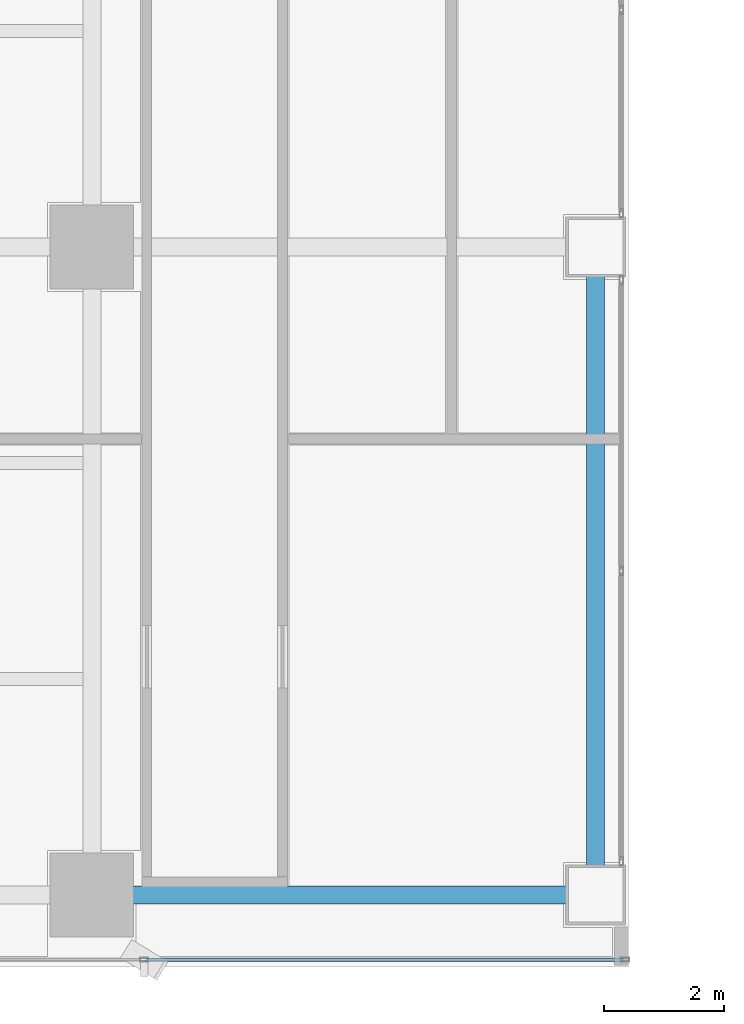
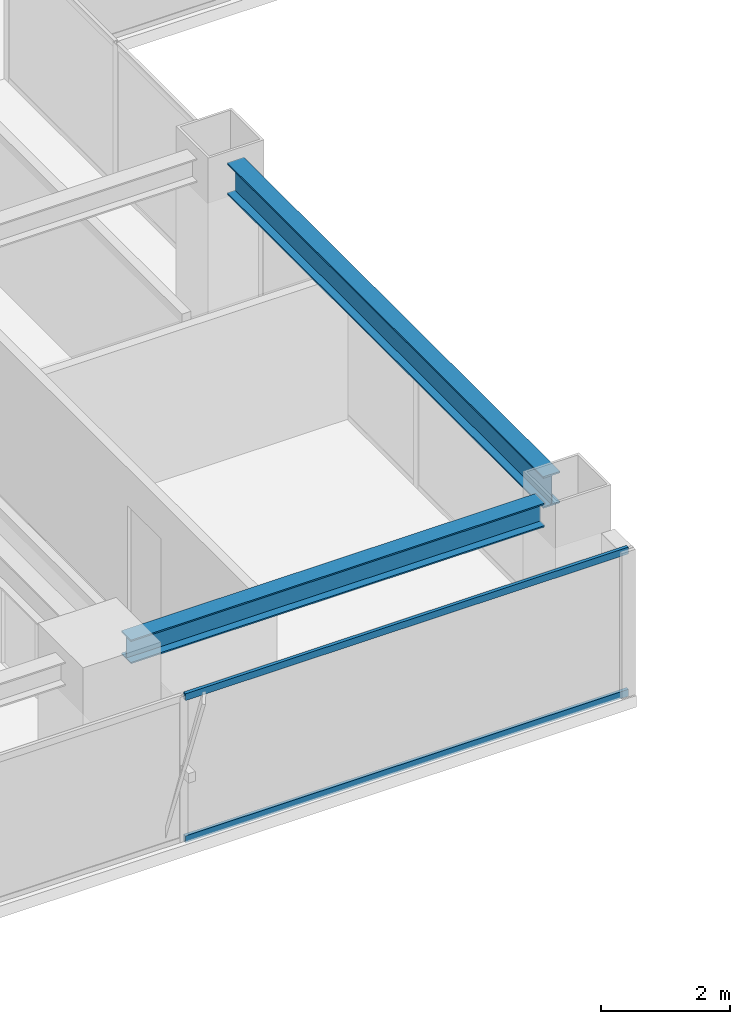
# One storey, part 3 of 31: 2 beams, 2 members, 1 element without a shape of its own.
"""IFC4 building model written with IfcOpenShell, lengths in metres."""

from ifc_helpers import new_model, si_unit, direction, frame, origin, origin_2d, place, context, subcontext, project, spatial, hollow_rectangle, i_section, extrude, source, transform, mapped, material, layer, layer_set, material_profile, profile_set, type_object, element, aggregate, save


model = new_model("IFC4")

# Units and contexts
model_context = context("Model", 3, precision=1e-05, world=origin(), true_north=direction((0.0, 1.0)))
body_context = subcontext(model_context, "Body", "Model", "MODEL_VIEW")
ifc_project = project(units=[si_unit("LENGTHUNIT", "METRE"), si_unit("AREAUNIT", "SQUARE_METRE"), si_unit("VOLUMEUNIT", "CUBIC_METRE"), si_unit("PLANEANGLEUNIT", "RADIAN"), si_unit("MASSUNIT", "GRAM", prefix="KILO")], contexts=[model_context])

# Site, building, storey
site_placement = place(None, origin())
site = spatial("IfcSite", under=ifc_project, at=site_placement, CompositionType="ELEMENT")
building_placement = place(site_placement, origin())
building = spatial("IfcBuilding", under=site, at=building_placement, Name="Sumidabori Civic Tower", CompositionType="ELEMENT")
storey_placement = place(building_placement, frame((0.0, 0.0, 221.60009765625)))
storey = spatial("IfcBuildingStorey", under=building, at=storey_placement, Name="L57", CompositionType="ELEMENT", Elevation=221.60009765625)

# Beams
ifc_material_1 = material(Name="Steel SN490", Category="steel")
ifc_material_profile_1 = material_profile(ifc_material_1, i_section(OverallWidth=0.300048828125, OverallDepth=0.60009765625, WebThickness=0.015380859375, FlangeThickness=0.030029296875, at=origin_2d()), Name="HE 600 B")
ifc_profile_set_1 = profile_set([ifc_material_profile_1], Name="Steel SN490")
beam_type_1 = type_object("IfcBeamType", Name="BM-GIRD-600", PredefinedType="BEAM", material=ifc_profile_set_1)
shared_shape_1 = source(origin(), body_context, "Body", "SweptSolid", [
    extrude(i_section(OverallWidth=0.300048828125, OverallDepth=0.60009765625, WebThickness=0.015380859375, FlangeThickness=0.030029296875, at=origin_2d()), origin(), (0.0, 0.0, 1.0), 9.840087890625),
])
beam_1_placement = place(storey_placement, frame((-8.39990234375, -10.320068359375, 3.079833984375), z_axis=(0.0, 1.0, 0.0), x_axis=(-1.0, 0.0, 0.0)))
element("IfcBeam", 1, at=beam_1_placement, inside=storey, type_object=beam_type_1, Name="Primary Girder L57 GY-17", PredefinedType="BEAM", context=body_context, shape_type="MappedRepresentation", body=[
    mapped(shared_shape_1, transform((0.0, 0.0, 0.0), x_axis=(1.0, 0.0, 0.0), y_axis=(0.0, 1.0, 0.0), z_axis=(0.0, 0.0, 1.0), scale=1.0)),
])
ifc_material_profile_2 = material_profile(ifc_material_1, i_section(OverallWidth=0.300048828125, OverallDepth=0.449951171875, WebThickness=0.013916015625, FlangeThickness=0.02587890625, at=origin_2d()), Name="HE 450 B")
ifc_profile_set_2 = profile_set([ifc_material_profile_2], Name="Steel SN490")
beam_type_2 = type_object("IfcBeamType", Name="BM-GIRD-450", PredefinedType="BEAM", material=ifc_profile_set_2)
shared_shape_2 = source(origin(), body_context, "Body", "SweptSolid", [
    extrude(i_section(OverallWidth=0.300048828125, OverallDepth=0.449951171875, WebThickness=0.013916015625, FlangeThickness=0.02587890625, at=origin_2d()), origin(), (0.0, 0.0, 1.0), 7.440185546875),
])
beam_2_placement = place(storey_placement, frame((-16.320068359375, -10.800048828125, 3.15478515625), z_axis=(1.0, 0.0, 0.0), x_axis=(0.0, 1.0, 0.0)))
element("IfcBeam", 2, at=beam_2_placement, inside=storey, type_object=beam_type_2, Name="Primary Girder L57 GX-02", PredefinedType="BEAM", context=body_context, shape_type="MappedRepresentation", body=[
    mapped(shared_shape_2, transform((0.0, 0.0, 0.0), x_axis=(1.0, 0.0, 0.0), y_axis=(0.0, 1.0, 0.0), z_axis=(0.0, 0.0, 1.0), scale=1.0)),
])

# Curtain wall, members
ifc_material_2 = material(Name="Anodised Bronze Aluminium AW-6063-T6", Category="aluminium")
ifc_layer = layer(ifc_material_2, 0.179931640625, Name="Anodised Bronze Aluminium AW-6063-T6")
ifc_layer_set = layer_set([ifc_layer], Name="Anodised Bronze Aluminium AW-6063-T6")
curtain_wall_type = type_object("IfcCurtainWallType", Name="CW-SYS-5", PredefinedType="NOTDEFINED", material=ifc_layer_set)
curtain_wall_placement = place(storey_placement, origin())
curtain_wall = element("IfcCurtainWall", 3, at=curtain_wall_placement, inside=storey, type_object=curtain_wall_type, Name="Curtain Wall CW:L57:R01", PredefinedType="NOTDEFINED")
ifc_material_profile_3 = material_profile(ifc_material_2, hollow_rectangle(XDim=0.06005859375, YDim=0.1298828125, WallThickness=0.0048828125, at=origin_2d()), Name="ALU TRANSOM 130x60")
ifc_profile_set_3 = profile_set([ifc_material_profile_3], Name="Anodised Bronze Aluminium AW-6063-T6")
member_type = type_object("IfcMemberType", Name="CW-TRN-130", PredefinedType="USERDEFINED", material=ifc_profile_set_3)
shared_shape_3 = source(origin(), body_context, "Body", "SweptSolid", [
    extrude(hollow_rectangle(XDim=0.06005859375, YDim=0.1298828125, WallThickness=0.0048828125, at=origin_2d()), origin(), (0.0, 0.0, 1.0), 7.955078125),
])
member_1_placement = place(storey_placement, frame((-15.89501953125, -11.8798828125, 0.02978515625), z_axis=(1.0, 0.0, 0.0), x_axis=(0.0, 1.0, 0.0)))
member_1 = element("IfcMember", 4, at=member_1_placement, type_object=member_type, Name="CW-5 transom 2.1", ObjectType="TRANSOM", PredefinedType="USERDEFINED", context=body_context, shape_type="MappedRepresentation", body=[
    mapped(shared_shape_3, transform((0.0, 0.0, 0.0), x_axis=(1.0, 0.0, 0.0), y_axis=(0.0, 1.0, 0.0), z_axis=(0.0, 0.0, 1.0), scale=1.0)),
])
member_2_placement = place(storey_placement, frame((-15.89501953125, -11.8798828125, 2.72998046875), z_axis=(1.0, 0.0, 0.0), x_axis=(0.0, 1.0, 0.0)))
member_2 = element("IfcMember", 5, at=member_2_placement, type_object=member_type, Name="CW-5 transom 2.2", ObjectType="TRANSOM", PredefinedType="USERDEFINED", context=body_context, shape_type="MappedRepresentation", body=[
    mapped(shared_shape_3, transform((0.0, 0.0, 0.0), x_axis=(1.0, 0.0, 0.0), y_axis=(0.0, 1.0, 0.0), z_axis=(0.0, 0.0, 1.0), scale=1.0)),
])
aggregate(curtain_wall, [member_1, member_2])

save(model, "model.ifc")
